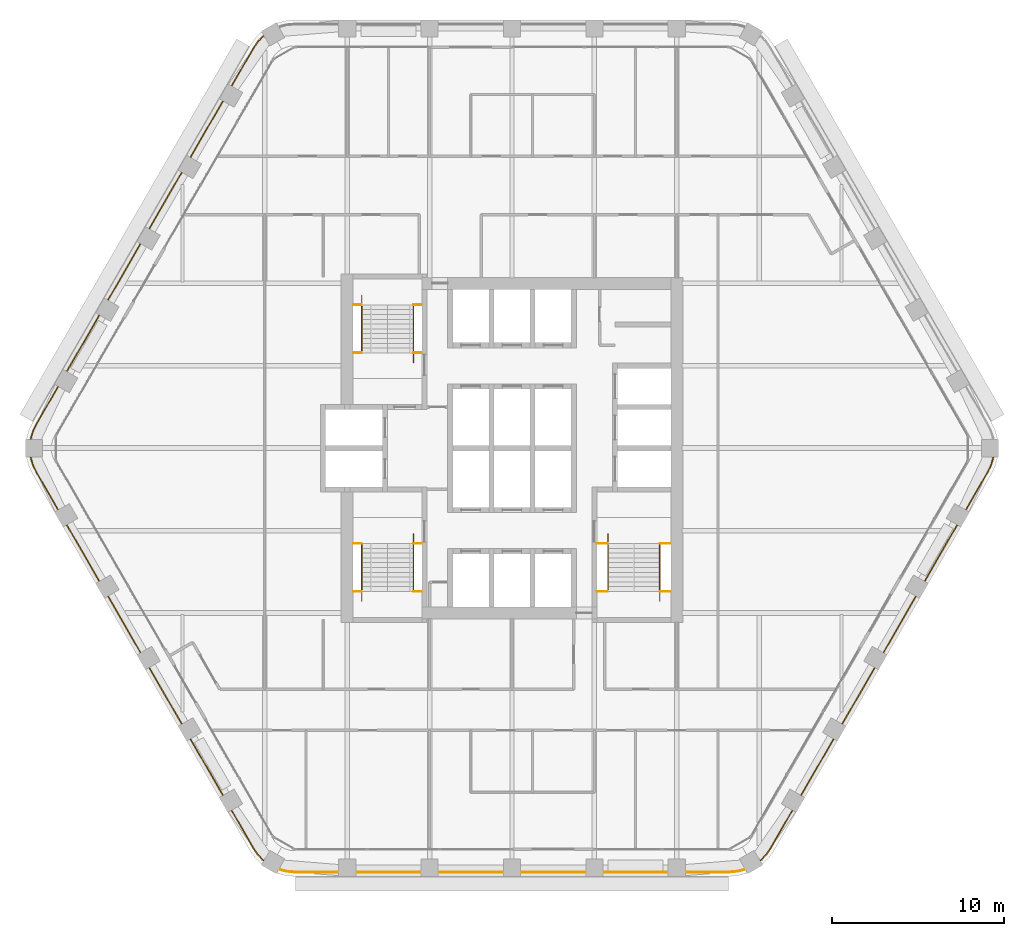
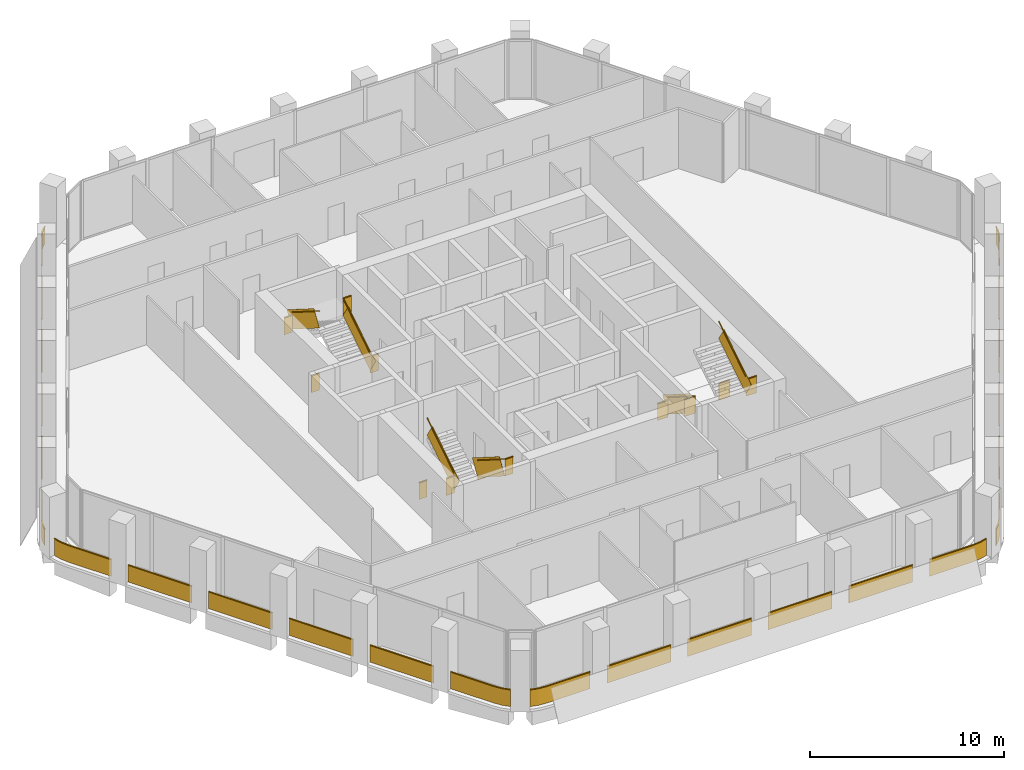
# One storey, part 14 of 15: 10 railings.
"""IFC4 building model written with IfcOpenShell, lengths in metres."""

from ifc_helpers import new_model, si_unit, direction, frame, frame_2d, origin, origin_2d, place, context, subcontext, project, spatial, rectangle, extrude, material, type_object, element, save


model = new_model("IFC4")

# Units and contexts
model_context = context("Model", 3, precision=1e-05, world=origin(), true_north=direction((0.0, 1.0)))
body_context = subcontext(model_context, "Body", "Model", "MODEL_VIEW")
ifc_project = project(units=[si_unit("LENGTHUNIT", "METRE"), si_unit("AREAUNIT", "SQUARE_METRE"), si_unit("VOLUMEUNIT", "CUBIC_METRE"), si_unit("PLANEANGLEUNIT", "RADIAN"), si_unit("MASSUNIT", "GRAM", prefix="KILO")], contexts=[model_context])

# Site, building, storey
site_placement = place(None, origin())
site = spatial("IfcSite", under=ifc_project, at=site_placement, CompositionType="ELEMENT")
building_placement = place(site_placement, origin())
building = spatial("IfcBuilding", under=site, at=building_placement, Name="Kolab Exchange Tower", CompositionType="ELEMENT")
storey_placement = place(building_placement, frame((0.0, 0.0, 170.0)))
storey = spatial("IfcBuildingStorey", under=building, at=storey_placement, Name="L35", CompositionType="ELEMENT", Elevation=170.0)

# Railings
ifc_material_1 = material(Name="Stainless steel 316", Category="steel")
railing_type_1 = type_object("IfcRailingType", Name="GUARD 1100", PredefinedType="GUARDRAIL", material=ifc_material_1)
railing_1_placement = place(storey_placement, frame((-9.25, 5.550048828125, 0.0)))
element("IfcRailing", 1, at=railing_1_placement, inside=storey, type_object=railing_type_1, Name="Guard ST1", PredefinedType="GUARDRAIL", context=body_context, shape_type="SweptSolid", body=[
    extrude(rectangle(XDim=0.05, YDim=0.05, at=origin_2d()), frame((0.0, 0.0, 1.0751953125), z_axis=(1.0, 0.0, 0.0), x_axis=(0.0, 1.0, 0.0)), (0.0, 0.0, 1.0), 0.489990234375),
    extrude(rectangle(XDim=0.012, YDim=1.05009765625, at=frame_2d((0.0, 0.525146484375))), frame((0.0, 0.0, 0.0), z_axis=(1.0, 0.0, 0.0), x_axis=(0.0, 1.0, 0.0)), (0.0, 0.0, 1.0), 0.489990234375),
    extrude(rectangle(XDim=0.05, YDim=0.05, at=origin_2d()), frame((3.510009765625, 0.0, 1.0751953125), z_axis=(1.0, 0.0, 0.0), x_axis=(0.0, 1.0, 0.0)), (0.0, 0.0, 1.0), 0.489990234375),
    extrude(rectangle(XDim=0.012, YDim=1.05009765625, at=frame_2d((0.0, 0.525146484375))), frame((3.510009765625, 0.0, 0.0), z_axis=(1.0, 0.0, 0.0), x_axis=(0.0, 1.0, 0.0)), (0.0, 0.0, 1.0), 0.489990234375),
    extrude(rectangle(XDim=0.05, YDim=0.05, at=origin_2d()), frame((0.0, 2.800048828125, 3.025146484375), z_axis=(1.0, 0.0, 0.0), x_axis=(0.0, 1.0, 0.0)), (0.0, 0.0, 1.0), 0.489990234375),
    extrude(rectangle(XDim=0.012, YDim=1.05009765625, at=frame_2d((0.0, 0.525146484375))), frame((0.0, 2.800048828125, 1.949951171875), z_axis=(1.0, 0.0, 0.0), x_axis=(0.0, 1.0, 0.0)), (0.0, 0.0, 1.0), 0.489990234375),
    extrude(rectangle(XDim=0.05, YDim=0.05, at=origin_2d()), frame((3.510009765625, 2.800048828125, 3.025146484375), z_axis=(1.0, 0.0, 0.0), x_axis=(0.0, 1.0, 0.0)), (0.0, 0.0, 1.0), 0.489990234375),
    extrude(rectangle(XDim=0.012, YDim=1.05009765625, at=frame_2d((0.0, 0.525146484375))), frame((3.510009765625, 2.800048828125, 1.949951171875), z_axis=(1.0, 0.0, 0.0), x_axis=(0.0, 1.0, 0.0)), (0.0, 0.0, 1.0), 0.489990234375),
])
railing_2_placement = place(storey_placement, frame((-5.739990234375, 5.550048828125, 0.17724609375)))
element("IfcRailing", 2, at=railing_2_placement, inside=storey, type_object=railing_type_1, Name="Handrail guard ST1", PredefinedType="GUARDRAIL", context=body_context, shape_type="SweptSolid", body=[
    extrude(rectangle(XDim=0.05, YDim=0.05, at=origin_2d()), frame((0.0, 0.0, 1.0751953125), z_axis=(0.0, 0.844908973607, 0.534910110503), x_axis=(-1.0, 0.0, 0.0)), (0.0, 0.0, 1.0), 3.31396484375),
    extrude(rectangle(XDim=0.012, YDim=1.05009765625, at=frame_2d((0.0, 0.525146484375))), frame((0.0, 0.0, 0.0), z_axis=(0.0, 0.844908973607, 0.534910110503), x_axis=(-1.0, 0.0, 0.0)), (0.0, 0.0, 1.0), 3.31396484375),
    extrude(rectangle(XDim=0.05, YDim=0.05, at=origin_2d()), frame((-3.02001953125, 2.800048828125, 3.025146484375), z_axis=(0.0, -0.844908973607, 0.534910110503), x_axis=(1.0, 0.0, 0.0)), (0.0, 0.0, 1.0), 3.31396484375),
    extrude(rectangle(XDim=0.012, YDim=1.05009765625, at=frame_2d((0.0, 0.525146484375))), frame((-3.02001953125, 2.800048828125, 1.949951171875), z_axis=(0.0, -0.844908973607, 0.534910110503), x_axis=(1.0, 0.0, 0.0)), (0.0, 0.0, 1.0), 3.31396484375),
])
railing_3_placement = place(storey_placement, frame((-9.25, -5.550048828125, 0.0)))
element("IfcRailing", 3, at=railing_3_placement, inside=storey, type_object=railing_type_1, Name="Guard ST3", PredefinedType="GUARDRAIL", context=body_context, shape_type="SweptSolid", body=[
    extrude(rectangle(XDim=0.05, YDim=0.05, at=origin_2d()), frame((0.0, 0.0, 1.0751953125), z_axis=(1.0, 0.0, 0.0), x_axis=(0.0, 1.0, 0.0)), (0.0, 0.0, 1.0), 0.489990234375),
    extrude(rectangle(XDim=0.012, YDim=1.05009765625, at=frame_2d((0.0, 0.525146484375))), frame((0.0, 0.0, 0.0), z_axis=(1.0, 0.0, 0.0), x_axis=(0.0, 1.0, 0.0)), (0.0, 0.0, 1.0), 0.489990234375),
    extrude(rectangle(XDim=0.05, YDim=0.05, at=origin_2d()), frame((3.510009765625, 0.0, 1.0751953125), z_axis=(1.0, 0.0, 0.0), x_axis=(0.0, 1.0, 0.0)), (0.0, 0.0, 1.0), 0.489990234375),
    extrude(rectangle(XDim=0.012, YDim=1.05009765625, at=frame_2d((0.0, 0.525146484375))), frame((3.510009765625, 0.0, 0.0), z_axis=(1.0, 0.0, 0.0), x_axis=(0.0, 1.0, 0.0)), (0.0, 0.0, 1.0), 0.489990234375),
    extrude(rectangle(XDim=0.05, YDim=0.05, at=origin_2d()), frame((0.0, -2.800048828125, 3.025146484375), z_axis=(1.0, 0.0, 0.0), x_axis=(0.0, 1.0, 0.0)), (0.0, 0.0, 1.0), 0.489990234375),
    extrude(rectangle(XDim=0.012, YDim=1.05009765625, at=frame_2d((0.0, 0.525146484375))), frame((0.0, -2.800048828125, 1.949951171875), z_axis=(1.0, 0.0, 0.0), x_axis=(0.0, 1.0, 0.0)), (0.0, 0.0, 1.0), 0.489990234375),
    extrude(rectangle(XDim=0.05, YDim=0.05, at=origin_2d()), frame((3.510009765625, -2.800048828125, 3.025146484375), z_axis=(1.0, 0.0, 0.0), x_axis=(0.0, 1.0, 0.0)), (0.0, 0.0, 1.0), 0.489990234375),
    extrude(rectangle(XDim=0.012, YDim=1.05009765625, at=frame_2d((0.0, 0.525146484375))), frame((3.510009765625, -2.800048828125, 1.949951171875), z_axis=(1.0, 0.0, 0.0), x_axis=(0.0, 1.0, 0.0)), (0.0, 0.0, 1.0), 0.489990234375),
])
railing_4_placement = place(storey_placement, frame((-5.739990234375, -5.550048828125, 0.17724609375)))
element("IfcRailing", 4, at=railing_4_placement, inside=storey, type_object=railing_type_1, Name="Handrail guard ST3", PredefinedType="GUARDRAIL", context=body_context, shape_type="SweptSolid", body=[
    extrude(rectangle(XDim=0.05, YDim=0.05, at=origin_2d()), frame((0.0, 0.0, 1.0751953125), z_axis=(0.0, -0.844908973607, 0.534910110503), x_axis=(1.0, 0.0, 0.0)), (0.0, 0.0, 1.0), 3.31396484375),
    extrude(rectangle(XDim=0.012, YDim=1.05009765625, at=frame_2d((0.0, 0.525146484375))), frame((0.0, 0.0, 0.0), z_axis=(0.0, -0.844908973607, 0.534910110503), x_axis=(1.0, 0.0, 0.0)), (0.0, 0.0, 1.0), 3.31396484375),
    extrude(rectangle(XDim=0.05, YDim=0.05, at=origin_2d()), frame((-3.02001953125, -2.800048828125, 3.025146484375), z_axis=(0.0, 0.844908973607, 0.534910110503), x_axis=(-1.0, 0.0, 0.0)), (0.0, 0.0, 1.0), 3.31396484375),
    extrude(rectangle(XDim=0.012, YDim=1.05009765625, at=frame_2d((0.0, 0.525146484375))), frame((-3.02001953125, -2.800048828125, 1.949951171875), z_axis=(0.0, 0.844908973607, 0.534910110503), x_axis=(-1.0, 0.0, 0.0)), (0.0, 0.0, 1.0), 3.31396484375),
])
railing_5_placement = place(storey_placement, frame((4.949951171875, -5.550048828125, 0.0)))
element("IfcRailing", 5, at=railing_5_placement, inside=storey, type_object=railing_type_1, Name="Guard ST2", PredefinedType="GUARDRAIL", context=body_context, shape_type="SweptSolid", body=[
    extrude(rectangle(XDim=0.05, YDim=0.05, at=origin_2d()), frame((0.0, 0.0, 1.0751953125), z_axis=(1.0, 0.0, 0.0), x_axis=(0.0, 1.0, 0.0)), (0.0, 0.0, 1.0), 0.64013671875),
    extrude(rectangle(XDim=0.012, YDim=1.05009765625, at=frame_2d((0.0, 0.525146484375))), frame((0.0, 0.0, 0.0), z_axis=(1.0, 0.0, 0.0), x_axis=(0.0, 1.0, 0.0)), (0.0, 0.0, 1.0), 0.64013671875),
    extrude(rectangle(XDim=0.05, YDim=0.05, at=origin_2d()), frame((3.66015625, 0.0, 1.0751953125), z_axis=(1.0, 0.0, 0.0), x_axis=(0.0, 1.0, 0.0)), (0.0, 0.0, 1.0), 0.639892578125),
    extrude(rectangle(XDim=0.012, YDim=1.05009765625, at=frame_2d((0.0, 0.525146484375))), frame((3.66015625, 0.0, 0.0), z_axis=(1.0, 0.0, 0.0), x_axis=(0.0, 1.0, 0.0)), (0.0, 0.0, 1.0), 0.639892578125),
    extrude(rectangle(XDim=0.05, YDim=0.05, at=origin_2d()), frame((0.0, -2.800048828125, 3.025146484375), z_axis=(1.0, 0.0, 0.0), x_axis=(0.0, 1.0, 0.0)), (0.0, 0.0, 1.0), 0.64013671875),
    extrude(rectangle(XDim=0.012, YDim=1.05009765625, at=frame_2d((0.0, 0.525146484375))), frame((0.0, -2.800048828125, 1.949951171875), z_axis=(1.0, 0.0, 0.0), x_axis=(0.0, 1.0, 0.0)), (0.0, 0.0, 1.0), 0.64013671875),
    extrude(rectangle(XDim=0.05, YDim=0.05, at=origin_2d()), frame((3.66015625, -2.800048828125, 3.025146484375), z_axis=(1.0, 0.0, 0.0), x_axis=(0.0, 1.0, 0.0)), (0.0, 0.0, 1.0), 0.639892578125),
    extrude(rectangle(XDim=0.012, YDim=1.05009765625, at=frame_2d((0.0, 0.525146484375))), frame((3.66015625, -2.800048828125, 1.949951171875), z_axis=(1.0, 0.0, 0.0), x_axis=(0.0, 1.0, 0.0)), (0.0, 0.0, 1.0), 0.639892578125),
])
railing_6_placement = place(storey_placement, frame((5.590087890625, -5.550048828125, 0.17724609375)))
element("IfcRailing", 6, at=railing_6_placement, inside=storey, type_object=railing_type_1, Name="Handrail guard ST2", PredefinedType="GUARDRAIL", context=body_context, shape_type="SweptSolid", body=[
    extrude(rectangle(XDim=0.05, YDim=0.05, at=origin_2d()), frame((0.0, 0.0, 1.0751953125), z_axis=(0.0, -0.844908973607, 0.534910110503), x_axis=(1.0, 0.0, 0.0)), (0.0, 0.0, 1.0), 3.31396484375),
    extrude(rectangle(XDim=0.012, YDim=1.05009765625, at=frame_2d((0.0, 0.525146484375))), frame((0.0, 0.0, 0.0), z_axis=(0.0, -0.844908973607, 0.534910110503), x_axis=(1.0, 0.0, 0.0)), (0.0, 0.0, 1.0), 3.31396484375),
    extrude(rectangle(XDim=0.05, YDim=0.05, at=origin_2d()), frame((3.02001953125, -2.800048828125, 3.025146484375), z_axis=(0.0, 0.844908973607, 0.534910110503), x_axis=(-1.0, 0.0, 0.0)), (0.0, 0.0, 1.0), 3.31396484375),
    extrude(rectangle(XDim=0.012, YDim=1.05009765625, at=frame_2d((0.0, 0.525146484375))), frame((3.02001953125, -2.800048828125, 1.949951171875), z_axis=(0.0, 0.844908973607, 0.534910110503), x_axis=(-1.0, 0.0, 0.0)), (0.0, 0.0, 1.0), 3.31396484375),
])
ifc_material_2 = material(Name="Steel S235", Category="steel")
railing_type_2 = type_object("IfcRailingType", Name="GUARD 1100 GLASS BALUSTRADE AND STEEL TOP RAIL", PredefinedType="GUARDRAIL", material=ifc_material_2)
railing_7_placement = place(storey_placement, frame((14.4501953125, -24.033447265625, 0.0)))
element("IfcRailing", 7, at=railing_7_placement, inside=storey, type_object=railing_type_2, Name="Guard", PredefinedType="GUARDRAIL", context=body_context, shape_type="SweptSolid", body=[
    extrude(rectangle(XDim=0.05, YDim=0.05, at=origin_2d()), frame((0.0, 0.0, 1.0751953125), z_axis=(0.70737286085, 0.706840601361, 0.0), x_axis=(-0.706840601361, 0.70737286085, 0.0)), (0.0, 0.0, 1.0), 0.458740234375),
    extrude(rectangle(XDim=0.012, YDim=1.05009765625, at=frame_2d((0.0, 0.525146484375))), frame((0.0, 0.0, 0.0), z_axis=(0.70737286085, 0.706840601361, 0.0), x_axis=(-0.706840601361, 0.70737286085, 0.0)), (0.0, 0.0, 1.0), 0.458740234375),
    extrude(rectangle(XDim=0.05, YDim=0.05, at=origin_2d()), frame((0.324462890625, 0.32421875, 1.0751953125), z_axis=(0.573599091554, 0.819136180478, 0.0), x_axis=(-0.819136180478, 0.573599091554, 0.0)), (0.0, 0.0, 1.0), 0.479248046875),
    extrude(rectangle(XDim=0.012, YDim=1.05009765625, at=frame_2d((0.0, 0.525146484375))), frame((0.324462890625, 0.32421875, 0.0), z_axis=(0.573599091554, 0.819136180478, 0.0), x_axis=(-0.819136180478, 0.573599091554, 0.0)), (0.0, 0.0, 1.0), 0.479248046875),
    extrude(rectangle(XDim=0.05, YDim=0.05, at=origin_2d()), frame((0.599365234375, 0.716796875, 1.0751953125), z_axis=(0.499952873616, 0.866052610505, 0.0), x_axis=(-0.866052610505, 0.499952873616, 0.0)), (0.0, 0.0, 1.0), 2.568115234375),
    extrude(rectangle(XDim=0.012, YDim=1.05009765625, at=frame_2d((0.0, 0.525146484375))), frame((0.599365234375, 0.716796875, 0.0), z_axis=(0.499952873616, 0.866052610505, 0.0), x_axis=(-0.866052610505, 0.499952873616, 0.0)), (0.0, 0.0, 1.0), 2.568115234375),
    extrude(rectangle(XDim=0.05, YDim=0.05, at=origin_2d()), frame((2.38330078125, 3.806884765625, 1.0751953125), z_axis=(0.499994975061, 0.866028304915, 0.0), x_axis=(-0.866028304915, 0.499994975061, 0.0)), (0.0, 0.0, 1.0), 3.7998046875),
    extrude(rectangle(XDim=0.012, YDim=1.05009765625, at=frame_2d((0.0, 0.525146484375))), frame((2.38330078125, 3.806884765625, 0.0), z_axis=(0.499994975061, 0.866028304915, 0.0), x_axis=(-0.866028304915, 0.499994975061, 0.0)), (0.0, 0.0, 1.0), 3.7998046875),
    extrude(rectangle(XDim=0.05, YDim=0.05, at=origin_2d()), frame((4.783203125, 7.9638671875, 1.0751953125), z_axis=(0.500043160704, 0.866000483506, 0.0), x_axis=(-0.866000483506, 0.500043160704, 0.0)), (0.0, 0.0, 1.0), 3.800048828125),
    extrude(rectangle(XDim=0.012, YDim=1.05009765625, at=frame_2d((0.0, 0.525146484375))), frame((4.783203125, 7.9638671875, 0.0), z_axis=(0.500043160704, 0.866000483506, 0.0), x_axis=(-0.866000483506, 0.500043160704, 0.0)), (0.0, 0.0, 1.0), 3.800048828125),
    extrude(rectangle(XDim=0.05, YDim=0.05, at=origin_2d()), frame((7.183349609375, 12.12060546875, 1.0751953125), z_axis=(0.499967155389, 0.866044365799, 0.0), x_axis=(-0.866044365799, 0.499967155389, 0.0)), (0.0, 0.0, 1.0), 3.800048828125),
    extrude(rectangle(XDim=0.012, YDim=1.05009765625, at=frame_2d((0.0, 0.525146484375))), frame((7.183349609375, 12.12060546875, 0.0), z_axis=(0.499967155389, 0.866044365799, 0.0), x_axis=(-0.866044365799, 0.499967155389, 0.0)), (0.0, 0.0, 1.0), 3.800048828125),
    extrude(rectangle(XDim=0.05, YDim=0.05, at=origin_2d()), frame((9.583251953125, 16.277587890625, 1.0751953125), z_axis=(0.500015340139, 0.86601654697, 0.0), x_axis=(-0.86601654697, 0.500015340139, 0.0)), (0.0, 0.0, 1.0), 3.80029296875),
    extrude(rectangle(XDim=0.012, YDim=1.05009765625, at=frame_2d((0.0, 0.525146484375))), frame((9.583251953125, 16.277587890625, 0.0), z_axis=(0.500015340139, 0.86601654697, 0.0), x_axis=(-0.86601654697, 0.500015340139, 0.0)), (0.0, 0.0, 1.0), 3.80029296875),
    extrude(rectangle(XDim=0.05, YDim=0.05, at=origin_2d()), frame((11.9833984375, 20.4345703125, 1.0751953125), z_axis=(0.499994038704, 0.866028845513, 0.0), x_axis=(-0.866028845513, 0.499994038704, 0.0)), (0.0, 0.0, 1.0), 2.56787109375),
    extrude(rectangle(XDim=0.012, YDim=1.05009765625, at=frame_2d((0.0, 0.525146484375))), frame((11.9833984375, 20.4345703125, 0.0), z_axis=(0.499994038704, 0.866028845513, 0.0), x_axis=(-0.866028845513, 0.499994038704, 0.0)), (0.0, 0.0, 1.0), 2.56787109375),
    extrude(rectangle(XDim=0.05, YDim=0.05, at=origin_2d()), frame((13.267333984375, 22.658447265625, 1.0751953125), z_axis=(0.422801802984, 0.906222177721, 0.0), x_axis=(-0.906222177721, 0.422801802984, 0.0)), (0.0, 0.0, 1.0), 0.479248046875),
    extrude(rectangle(XDim=0.012, YDim=1.05009765625, at=frame_2d((0.0, 0.525146484375))), frame((13.267333984375, 22.658447265625, 0.0), z_axis=(0.422801802984, 0.906222177721, 0.0), x_axis=(-0.906222177721, 0.422801802984, 0.0)), (0.0, 0.0, 1.0), 0.479248046875),
    extrude(rectangle(XDim=0.05, YDim=0.05, at=origin_2d()), frame((13.469970703125, 23.0927734375, 1.0751953125), z_axis=(0.25865627591, 0.965969425465, 0.0), x_axis=(-0.965969425465, 0.25865627591, 0.0)), (0.0, 0.0, 1.0), 0.458740234375),
    extrude(rectangle(XDim=0.012, YDim=1.05009765625, at=frame_2d((0.0, 0.525146484375))), frame((13.469970703125, 23.0927734375, 0.0), z_axis=(0.25865627591, 0.965969425465, 0.0), x_axis=(-0.965969425465, 0.25865627591, 0.0)), (0.0, 0.0, 1.0), 0.458740234375),
])
railing_8_placement = place(storey_placement, frame((-13.588623046875, -24.531005859375, 0.0)))
element("IfcRailing", 8, at=railing_8_placement, inside=storey, type_object=railing_type_2, Name="Guard", PredefinedType="GUARDRAIL", context=body_context, shape_type="SweptSolid", body=[
    extrude(rectangle(XDim=0.05, YDim=0.05, at=origin_2d()), frame((0.0, 0.0, 1.0751953125), z_axis=(0.965969425465, -0.25865627591, 0.0), x_axis=(0.25865627591, 0.965969425465, 0.0)), (0.0, 0.0, 1.0), 0.458740234375),
    extrude(rectangle(XDim=0.012, YDim=1.05009765625, at=frame_2d((0.0, 0.525146484375))), frame((0.0, 0.0, 0.0), z_axis=(0.965969425465, -0.25865627591, 0.0), x_axis=(0.25865627591, 0.965969425465, 0.0)), (0.0, 0.0, 1.0), 0.458740234375),
    extrude(rectangle(XDim=0.05, YDim=0.05, at=origin_2d()), frame((0.443115234375, -0.11865234375, 1.0751953125), z_axis=(0.996156034798, -0.087596542937, 0.0), x_axis=(0.087596542937, 0.996156034798, 0.0)), (0.0, 0.0, 1.0), 0.4794921875),
    extrude(rectangle(XDim=0.012, YDim=1.05009765625, at=frame_2d((0.0, 0.525146484375))), frame((0.443115234375, -0.11865234375, 0.0), z_axis=(0.996156034798, -0.087596542937, 0.0), x_axis=(0.087596542937, 0.996156034798, 0.0)), (0.0, 0.0, 1.0), 0.4794921875),
    extrude(rectangle(XDim=0.05, YDim=0.05, at=origin_2d()), frame((0.920654296875, -0.16064453125, 1.0751953125), z_axis=(1.0, 0.0, 0.0), x_axis=(0.0, 1.0, 0.0)), (0.0, 0.0, 1.0), 2.56787109375),
    extrude(rectangle(XDim=0.012, YDim=1.05009765625, at=frame_2d((0.0, 0.525146484375))), frame((0.920654296875, -0.16064453125, 0.0), z_axis=(1.0, 0.0, 0.0), x_axis=(0.0, 1.0, 0.0)), (0.0, 0.0, 1.0), 2.56787109375),
    extrude(rectangle(XDim=0.05, YDim=0.05, at=origin_2d()), frame((4.488525390625, -0.16064453125, 1.0751953125), z_axis=(1.0, 0.0, 0.0), x_axis=(0.0, 1.0, 0.0)), (0.0, 0.0, 1.0), 3.800048828125),
    extrude(rectangle(XDim=0.012, YDim=1.05009765625, at=frame_2d((0.0, 0.525146484375))), frame((4.488525390625, -0.16064453125, 0.0), z_axis=(1.0, 0.0, 0.0), x_axis=(0.0, 1.0, 0.0)), (0.0, 0.0, 1.0), 3.800048828125),
    extrude(rectangle(XDim=0.05, YDim=0.05, at=origin_2d()), frame((9.28857421875, -0.16064453125, 1.0751953125), z_axis=(1.0, 0.0, 0.0), x_axis=(0.0, 1.0, 0.0)), (0.0, 0.0, 1.0), 3.800048828125),
    extrude(rectangle(XDim=0.012, YDim=1.05009765625, at=frame_2d((0.0, 0.525146484375))), frame((9.28857421875, -0.16064453125, 0.0), z_axis=(1.0, 0.0, 0.0), x_axis=(0.0, 1.0, 0.0)), (0.0, 0.0, 1.0), 3.800048828125),
    extrude(rectangle(XDim=0.05, YDim=0.05, at=origin_2d()), frame((14.088623046875, -0.16064453125, 1.0751953125), z_axis=(1.0, 0.0, 0.0), x_axis=(0.0, 1.0, 0.0)), (0.0, 0.0, 1.0), 3.800048828125),
    extrude(rectangle(XDim=0.012, YDim=1.05009765625, at=frame_2d((0.0, 0.525146484375))), frame((14.088623046875, -0.16064453125, 0.0), z_axis=(1.0, 0.0, 0.0), x_axis=(0.0, 1.0, 0.0)), (0.0, 0.0, 1.0), 3.800048828125),
    extrude(rectangle(XDim=0.05, YDim=0.05, at=origin_2d()), frame((18.888671875, -0.16064453125, 1.0751953125), z_axis=(1.0, 0.0, 0.0), x_axis=(0.0, 1.0, 0.0)), (0.0, 0.0, 1.0), 3.800048828125),
    extrude(rectangle(XDim=0.012, YDim=1.05009765625, at=frame_2d((0.0, 0.525146484375))), frame((18.888671875, -0.16064453125, 0.0), z_axis=(1.0, 0.0, 0.0), x_axis=(0.0, 1.0, 0.0)), (0.0, 0.0, 1.0), 3.800048828125),
    extrude(rectangle(XDim=0.05, YDim=0.05, at=origin_2d()), frame((23.688720703125, -0.16064453125, 1.0751953125), z_axis=(1.0, 0.0, 0.0), x_axis=(0.0, 1.0, 0.0)), (0.0, 0.0, 1.0), 2.56787109375),
    extrude(rectangle(XDim=0.012, YDim=1.05009765625, at=frame_2d((0.0, 0.525146484375))), frame((23.688720703125, -0.16064453125, 0.0), z_axis=(1.0, 0.0, 0.0), x_axis=(0.0, 1.0, 0.0)), (0.0, 0.0, 1.0), 2.56787109375),
    extrude(rectangle(XDim=0.05, YDim=0.05, at=origin_2d()), frame((26.256591796875, -0.16064453125, 1.0751953125), z_axis=(0.996156034798, 0.087596542937, 0.0), x_axis=(-0.087596542937, 0.996156034798, 0.0)), (0.0, 0.0, 1.0), 0.4794921875),
    extrude(rectangle(XDim=0.012, YDim=1.05009765625, at=frame_2d((0.0, 0.525146484375))), frame((26.256591796875, -0.16064453125, 0.0), z_axis=(0.996156034798, 0.087596542937, 0.0), x_axis=(-0.087596542937, 0.996156034798, 0.0)), (0.0, 0.0, 1.0), 0.4794921875),
    extrude(rectangle(XDim=0.05, YDim=0.05, at=origin_2d()), frame((26.734130859375, -0.11865234375, 1.0751953125), z_axis=(0.965969425465, 0.25865627591, 0.0), x_axis=(-0.25865627591, 0.965969425465, 0.0)), (0.0, 0.0, 1.0), 0.458740234375),
    extrude(rectangle(XDim=0.012, YDim=1.05009765625, at=frame_2d((0.0, 0.525146484375))), frame((26.734130859375, -0.11865234375, 0.0), z_axis=(0.965969425465, 0.25865627591, 0.0), x_axis=(-0.25865627591, 0.965969425465, 0.0)), (0.0, 0.0, 1.0), 0.458740234375),
])
railing_9_placement = place(storey_placement, frame((-28.038818359375, -0.49755859375, 0.0)))
element("IfcRailing", 9, at=railing_9_placement, inside=storey, type_object=railing_type_2, Name="Guard", PredefinedType="GUARDRAIL", context=body_context, shape_type="SweptSolid", body=[
    extrude(rectangle(XDim=0.05, YDim=0.05, at=origin_2d()), frame((0.0, 0.0, 1.0751953125), z_axis=(0.25865627591, -0.965969425465, 0.0), x_axis=(0.965969425465, 0.25865627591, 0.0)), (0.0, 0.0, 1.0), 0.458740234375),
    extrude(rectangle(XDim=0.012, YDim=1.05009765625, at=frame_2d((0.0, 0.525146484375))), frame((0.0, 0.0, 0.0), z_axis=(0.25865627591, -0.965969425465, 0.0), x_axis=(0.965969425465, 0.25865627591, 0.0)), (0.0, 0.0, 1.0), 0.458740234375),
    extrude(rectangle(XDim=0.05, YDim=0.05, at=origin_2d()), frame((0.11865234375, -0.443115234375, 1.0751953125), z_axis=(0.422801802984, -0.906222177721, 0.0), x_axis=(0.906222177721, 0.422801802984, 0.0)), (0.0, 0.0, 1.0), 0.479248046875),
    extrude(rectangle(XDim=0.012, YDim=1.05009765625, at=frame_2d((0.0, 0.525146484375))), frame((0.11865234375, -0.443115234375, 0.0), z_axis=(0.422801802984, -0.906222177721, 0.0), x_axis=(0.906222177721, 0.422801802984, 0.0)), (0.0, 0.0, 1.0), 0.479248046875),
    extrude(rectangle(XDim=0.05, YDim=0.05, at=origin_2d()), frame((0.3212890625, -0.87744140625, 1.0751953125), z_axis=(0.499994038704, -0.866028845513, 0.0), x_axis=(0.866028845513, 0.499994038704, 0.0)), (0.0, 0.0, 1.0), 2.56787109375),
    extrude(rectangle(XDim=0.012, YDim=1.05009765625, at=frame_2d((0.0, 0.525146484375))), frame((0.3212890625, -0.87744140625, 0.0), z_axis=(0.499994038704, -0.866028845513, 0.0), x_axis=(0.866028845513, 0.499994038704, 0.0)), (0.0, 0.0, 1.0), 2.56787109375),
    extrude(rectangle(XDim=0.05, YDim=0.05, at=origin_2d()), frame((2.105224609375, -3.96728515625, 1.0751953125), z_axis=(0.500015340139, -0.86601654697, 0.0), x_axis=(0.86601654697, 0.500015340139, 0.0)), (0.0, 0.0, 1.0), 3.80029296875),
    extrude(rectangle(XDim=0.012, YDim=1.05009765625, at=frame_2d((0.0, 0.525146484375))), frame((2.105224609375, -3.96728515625, 0.0), z_axis=(0.500015340139, -0.86601654697, 0.0), x_axis=(0.86601654697, 0.500015340139, 0.0)), (0.0, 0.0, 1.0), 3.80029296875),
    extrude(rectangle(XDim=0.05, YDim=0.05, at=origin_2d()), frame((4.50537109375, -8.124267578125, 1.0751953125), z_axis=(0.499967155389, -0.866044365799, 0.0), x_axis=(0.866044365799, 0.499967155389, 0.0)), (0.0, 0.0, 1.0), 3.800048828125),
    extrude(rectangle(XDim=0.012, YDim=1.05009765625, at=frame_2d((0.0, 0.525146484375))), frame((4.50537109375, -8.124267578125, 0.0), z_axis=(0.499967155389, -0.866044365799, 0.0), x_axis=(0.866044365799, 0.499967155389, 0.0)), (0.0, 0.0, 1.0), 3.800048828125),
    extrude(rectangle(XDim=0.05, YDim=0.05, at=origin_2d()), frame((6.9052734375, -12.28125, 1.0751953125), z_axis=(0.500043160704, -0.866000483506, 0.0), x_axis=(0.866000483506, 0.500043160704, 0.0)), (0.0, 0.0, 1.0), 3.800048828125),
    extrude(rectangle(XDim=0.012, YDim=1.05009765625, at=frame_2d((0.0, 0.525146484375))), frame((6.9052734375, -12.28125, 0.0), z_axis=(0.500043160704, -0.866000483506, 0.0), x_axis=(0.866000483506, 0.500043160704, 0.0)), (0.0, 0.0, 1.0), 3.800048828125),
    extrude(rectangle(XDim=0.05, YDim=0.05, at=origin_2d()), frame((9.305419921875, -16.438232421875, 1.0751953125), z_axis=(0.499994975061, -0.866028304915, 0.0), x_axis=(0.866028304915, 0.499994975061, 0.0)), (0.0, 0.0, 1.0), 3.7998046875),
    extrude(rectangle(XDim=0.012, YDim=1.05009765625, at=frame_2d((0.0, 0.525146484375))), frame((9.305419921875, -16.438232421875, 0.0), z_axis=(0.499994975061, -0.866028304915, 0.0), x_axis=(0.866028304915, 0.499994975061, 0.0)), (0.0, 0.0, 1.0), 3.7998046875),
    extrude(rectangle(XDim=0.05, YDim=0.05, at=origin_2d()), frame((11.705322265625, -20.594970703125, 1.0751953125), z_axis=(0.499952873616, -0.866052610505, 0.0), x_axis=(0.866052610505, 0.499952873616, 0.0)), (0.0, 0.0, 1.0), 2.568115234375),
    extrude(rectangle(XDim=0.012, YDim=1.05009765625, at=frame_2d((0.0, 0.525146484375))), frame((11.705322265625, -20.594970703125, 0.0), z_axis=(0.499952873616, -0.866052610505, 0.0), x_axis=(0.866052610505, 0.499952873616, 0.0)), (0.0, 0.0, 1.0), 2.568115234375),
    extrude(rectangle(XDim=0.05, YDim=0.05, at=origin_2d()), frame((12.9892578125, -22.819091796875, 1.0751953125), z_axis=(0.573599091554, -0.819136180478, 0.0), x_axis=(0.819136180478, 0.573599091554, 0.0)), (0.0, 0.0, 1.0), 0.479248046875),
    extrude(rectangle(XDim=0.012, YDim=1.05009765625, at=frame_2d((0.0, 0.525146484375))), frame((12.9892578125, -22.819091796875, 0.0), z_axis=(0.573599091554, -0.819136180478, 0.0), x_axis=(0.819136180478, 0.573599091554, 0.0)), (0.0, 0.0, 1.0), 0.479248046875),
    extrude(rectangle(XDim=0.05, YDim=0.05, at=origin_2d()), frame((13.26416015625, -23.211669921875, 1.0751953125), z_axis=(0.70737286085, -0.706840601361, 0.0), x_axis=(0.706840601361, 0.70737286085, 0.0)), (0.0, 0.0, 1.0), 0.458740234375),
    extrude(rectangle(XDim=0.012, YDim=1.05009765625, at=frame_2d((0.0, 0.525146484375))), frame((13.26416015625, -23.211669921875, 0.0), z_axis=(0.70737286085, -0.706840601361, 0.0), x_axis=(0.706840601361, 0.70737286085, 0.0)), (0.0, 0.0, 1.0), 0.458740234375),
])
railing_10_placement = place(storey_placement, frame((-14.4501953125, 24.033447265625, 0.0)))
element("IfcRailing", 10, at=railing_10_placement, inside=storey, type_object=railing_type_2, Name="Guard", PredefinedType="GUARDRAIL", context=body_context, shape_type="SweptSolid", body=[
    extrude(rectangle(XDim=0.05, YDim=0.05, at=origin_2d()), frame((0.0, 0.0, 1.0751953125), z_axis=(-0.70737286085, -0.706840601361, 0.0), x_axis=(0.706840601361, -0.70737286085, 0.0)), (0.0, 0.0, 1.0), 0.458740234375),
    extrude(rectangle(XDim=0.012, YDim=1.05009765625, at=frame_2d((0.0, 0.525146484375))), frame((0.0, 0.0, 0.0), z_axis=(-0.70737286085, -0.706840601361, 0.0), x_axis=(0.706840601361, -0.70737286085, 0.0)), (0.0, 0.0, 1.0), 0.458740234375),
    extrude(rectangle(XDim=0.05, YDim=0.05, at=origin_2d()), frame((-0.324462890625, -0.32421875, 1.0751953125), z_axis=(-0.573599091554, -0.819136180478, 0.0), x_axis=(0.819136180478, -0.573599091554, 0.0)), (0.0, 0.0, 1.0), 0.479248046875),
    extrude(rectangle(XDim=0.012, YDim=1.05009765625, at=frame_2d((0.0, 0.525146484375))), frame((-0.324462890625, -0.32421875, 0.0), z_axis=(-0.573599091554, -0.819136180478, 0.0), x_axis=(0.819136180478, -0.573599091554, 0.0)), (0.0, 0.0, 1.0), 0.479248046875),
    extrude(rectangle(XDim=0.05, YDim=0.05, at=origin_2d()), frame((-0.599365234375, -0.716796875, 1.0751953125), z_axis=(-0.499952873616, -0.866052610505, 0.0), x_axis=(0.866052610505, -0.499952873616, 0.0)), (0.0, 0.0, 1.0), 2.568115234375),
    extrude(rectangle(XDim=0.012, YDim=1.05009765625, at=frame_2d((0.0, 0.525146484375))), frame((-0.599365234375, -0.716796875, 0.0), z_axis=(-0.499952873616, -0.866052610505, 0.0), x_axis=(0.866052610505, -0.499952873616, 0.0)), (0.0, 0.0, 1.0), 2.568115234375),
    extrude(rectangle(XDim=0.05, YDim=0.05, at=origin_2d()), frame((-2.38330078125, -3.806884765625, 1.0751953125), z_axis=(-0.499994975061, -0.866028304915, 0.0), x_axis=(0.866028304915, -0.499994975061, 0.0)), (0.0, 0.0, 1.0), 3.7998046875),
    extrude(rectangle(XDim=0.012, YDim=1.05009765625, at=frame_2d((0.0, 0.525146484375))), frame((-2.38330078125, -3.806884765625, 0.0), z_axis=(-0.499994975061, -0.866028304915, 0.0), x_axis=(0.866028304915, -0.499994975061, 0.0)), (0.0, 0.0, 1.0), 3.7998046875),
    extrude(rectangle(XDim=0.05, YDim=0.05, at=origin_2d()), frame((-4.783203125, -7.9638671875, 1.0751953125), z_axis=(-0.500043160704, -0.866000483506, 0.0), x_axis=(0.866000483506, -0.500043160704, 0.0)), (0.0, 0.0, 1.0), 3.800048828125),
    extrude(rectangle(XDim=0.012, YDim=1.05009765625, at=frame_2d((0.0, 0.525146484375))), frame((-4.783203125, -7.9638671875, 0.0), z_axis=(-0.500043160704, -0.866000483506, 0.0), x_axis=(0.866000483506, -0.500043160704, 0.0)), (0.0, 0.0, 1.0), 3.800048828125),
    extrude(rectangle(XDim=0.05, YDim=0.05, at=origin_2d()), frame((-7.183349609375, -12.12060546875, 1.0751953125), z_axis=(-0.499967155389, -0.866044365799, 0.0), x_axis=(0.866044365799, -0.499967155389, 0.0)), (0.0, 0.0, 1.0), 3.800048828125),
    extrude(rectangle(XDim=0.012, YDim=1.05009765625, at=frame_2d((0.0, 0.525146484375))), frame((-7.183349609375, -12.12060546875, 0.0), z_axis=(-0.499967155389, -0.866044365799, 0.0), x_axis=(0.866044365799, -0.499967155389, 0.0)), (0.0, 0.0, 1.0), 3.800048828125),
    extrude(rectangle(XDim=0.05, YDim=0.05, at=origin_2d()), frame((-9.583251953125, -16.277587890625, 1.0751953125), z_axis=(-0.500015340139, -0.86601654697, 0.0), x_axis=(0.86601654697, -0.500015340139, 0.0)), (0.0, 0.0, 1.0), 3.80029296875),
    extrude(rectangle(XDim=0.012, YDim=1.05009765625, at=frame_2d((0.0, 0.525146484375))), frame((-9.583251953125, -16.277587890625, 0.0), z_axis=(-0.500015340139, -0.86601654697, 0.0), x_axis=(0.86601654697, -0.500015340139, 0.0)), (0.0, 0.0, 1.0), 3.80029296875),
    extrude(rectangle(XDim=0.05, YDim=0.05, at=origin_2d()), frame((-11.9833984375, -20.4345703125, 1.0751953125), z_axis=(-0.499994038704, -0.866028845513, 0.0), x_axis=(0.866028845513, -0.499994038704, 0.0)), (0.0, 0.0, 1.0), 2.56787109375),
    extrude(rectangle(XDim=0.012, YDim=1.05009765625, at=frame_2d((0.0, 0.525146484375))), frame((-11.9833984375, -20.4345703125, 0.0), z_axis=(-0.499994038704, -0.866028845513, 0.0), x_axis=(0.866028845513, -0.499994038704, 0.0)), (0.0, 0.0, 1.0), 2.56787109375),
    extrude(rectangle(XDim=0.05, YDim=0.05, at=origin_2d()), frame((-13.267333984375, -22.658447265625, 1.0751953125), z_axis=(-0.422801802984, -0.906222177721, 0.0), x_axis=(0.906222177721, -0.422801802984, 0.0)), (0.0, 0.0, 1.0), 0.479248046875),
    extrude(rectangle(XDim=0.012, YDim=1.05009765625, at=frame_2d((0.0, 0.525146484375))), frame((-13.267333984375, -22.658447265625, 0.0), z_axis=(-0.422801802984, -0.906222177721, 0.0), x_axis=(0.906222177721, -0.422801802984, 0.0)), (0.0, 0.0, 1.0), 0.479248046875),
    extrude(rectangle(XDim=0.05, YDim=0.05, at=origin_2d()), frame((-13.469970703125, -23.0927734375, 1.0751953125), z_axis=(-0.25865627591, -0.965969425465, 0.0), x_axis=(0.965969425465, -0.25865627591, 0.0)), (0.0, 0.0, 1.0), 0.458740234375),
    extrude(rectangle(XDim=0.012, YDim=1.05009765625, at=frame_2d((0.0, 0.525146484375))), frame((-13.469970703125, -23.0927734375, 0.0), z_axis=(-0.25865627591, -0.965969425465, 0.0), x_axis=(0.965969425465, -0.25865627591, 0.0)), (0.0, 0.0, 1.0), 0.458740234375),
])

save(model, "model.ifc")
